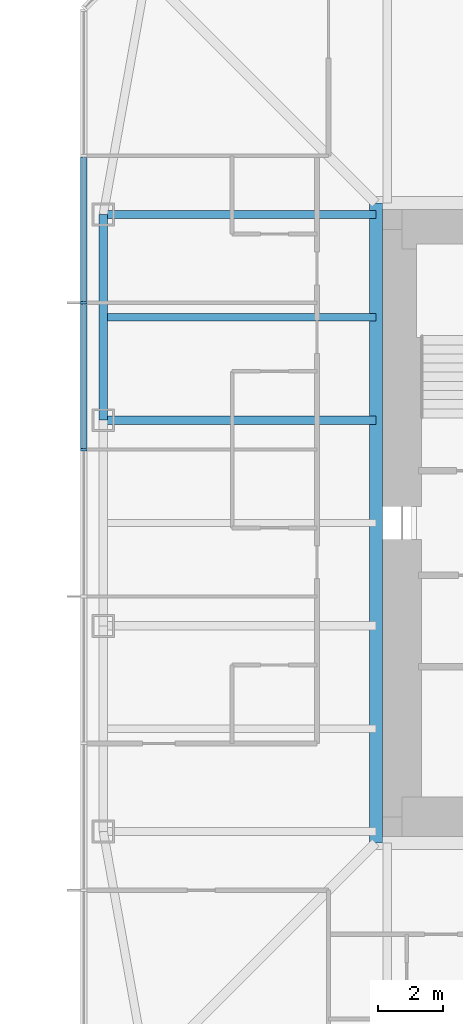
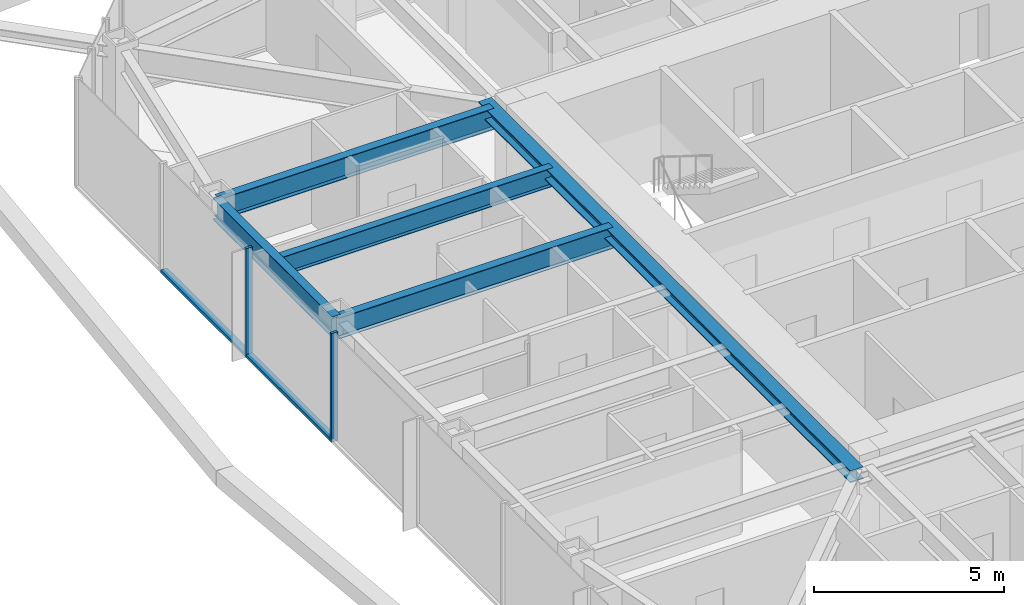
# One storey, part 3 of 13: 5 beams, 4 members, 1 element without a shape of its own.
"""IFC4 building model written with IfcOpenShell, lengths in metres."""

from ifc_helpers import new_model, si_unit, direction, frame, origin, origin_2d, place, context, subcontext, project, spatial, rectangle, i_section, extrude, material, material_profile, profile_set, type_object, element, aggregate, save


model = new_model("IFC4")

# Units and contexts
model_context = context("Model", 3, precision=1e-05, world=origin(), true_north=direction((0.0, 1.0)))
body_context = subcontext(model_context, "Body", "Model", "MODEL_VIEW")
ifc_project = project(units=[si_unit("LENGTHUNIT", "METRE"), si_unit("AREAUNIT", "SQUARE_METRE"), si_unit("VOLUMEUNIT", "CUBIC_METRE"), si_unit("PLANEANGLEUNIT", "RADIAN"), si_unit("MASSUNIT", "GRAM", prefix="KILO")], contexts=[model_context])

# Site, building, storey
site_placement = place(None, origin())
site = spatial("IfcSite", under=ifc_project, at=site_placement, CompositionType="ELEMENT")
building_placement = place(site_placement, origin())
building = spatial("IfcBuilding", under=site, at=building_placement, Name="Iwan Alto Co-Living Towers", CompositionType="ELEMENT")
storey_placement = place(building_placement, frame((0.0, 0.0, 160.0)))
storey = spatial("IfcBuildingStorey", under=building, at=storey_placement, Name="L43", CompositionType="ELEMENT", Elevation=160.0)

# Curtain wall, members
ifc_material_1 = material(Name="Bronze aluminium unitised frame", Category="aluminium")
curtain_wall_type = type_object("IfcCurtainWallType", Name="CURTAIN WALL CW-A", PredefinedType="NOTDEFINED", material=ifc_material_1)
curtain_wall_placement = place(storey_placement, origin())
curtain_wall = element("IfcCurtainWall", 1, at=curtain_wall_placement, inside=storey, type_object=curtain_wall_type, Name="T1 curtain wall W L43", PredefinedType="NOTDEFINED")
ifc_material_2 = material(Name="Aluminium 6063-T6 bronze anodised", Category="aluminium")
ifc_material_profile_1 = material_profile(ifc_material_2, rectangle(XDim=0.199951171875, YDim=0.080078125, at=origin_2d()), Name="AL 80X200")
ifc_profile_set_1 = profile_set([ifc_material_profile_1], Name="Aluminium 6063-T6 bronze anodised")
member_type_1 = type_object("IfcMemberType", Name="CW-A MULLION 80X200", PredefinedType="MULLION", material=ifc_profile_set_1)
member_1_placement = place(storey_placement, frame((-18.75, 6.75, 0.0), z_axis=(0.0, 0.0, 1.0), x_axis=(1.0, 0.0, 0.0)))
member_1 = element("IfcMember", 2, at=member_1_placement, type_object=member_type_1, Name="CW-A mullion 3", PredefinedType="MULLION", context=body_context, shape_type="SweptSolid", body=[
    extrude(rectangle(XDim=0.199951171875, YDim=0.080078125, at=origin_2d()), origin(), (0.0, 0.0, 1.0), 3.5),
])
member_2_placement = place(storey_placement, frame((-18.75, 2.25, 0.0), z_axis=(0.0, 0.0, 1.0), x_axis=(1.0, 0.0, 0.0)))
member_2 = element("IfcMember", 3, at=member_2_placement, type_object=member_type_1, Name="CW-A mullion 4", PredefinedType="MULLION", context=body_context, shape_type="SweptSolid", body=[
    extrude(rectangle(XDim=0.199951171875, YDim=0.080078125, at=origin_2d()), origin(), (0.0, 0.0, 1.0), 3.5),
])
ifc_material_3 = material(Name="Aluminium 6063-T6 bronze anodised", Category="aluminium")
ifc_material_profile_2 = material_profile(ifc_material_3, rectangle(XDim=0.199951171875, YDim=0.10009765625, at=origin_2d()), Name="AL 200X100")
ifc_profile_set_2 = profile_set([ifc_material_profile_2], Name="Aluminium 6063-T6 bronze anodised")
member_type_2 = type_object("IfcMemberType", Name="CW-A TRANSOM 200X100", PredefinedType="USERDEFINED", material=ifc_profile_set_2)
member_3_placement = place(storey_placement, frame((-18.75, 11.2099609375, 0.050048828125), z_axis=(0.0, -1.0, 0.0), x_axis=(1.0, 0.0, 0.0)))
member_3 = element("IfcMember", 4, at=member_3_placement, type_object=member_type_2, Name="CW-A transom 2.1", ObjectType="TRANSOM", PredefinedType="USERDEFINED", context=body_context, shape_type="SweptSolid", body=[
    extrude(rectangle(XDim=0.199951171875, YDim=0.10009765625, at=origin_2d()), origin(), (0.0, 0.0, 1.0), 4.419921875),
])
member_4_placement = place(storey_placement, frame((-18.75, 6.7099609375, 0.050048828125), z_axis=(0.0, -1.0, 0.0), x_axis=(1.0, 0.0, 0.0)))
member_4 = element("IfcMember", 5, at=member_4_placement, type_object=member_type_2, Name="CW-A transom 3.1", ObjectType="TRANSOM", PredefinedType="USERDEFINED", context=body_context, shape_type="SweptSolid", body=[
    extrude(rectangle(XDim=0.199951171875, YDim=0.10009765625, at=origin_2d()), origin(), (0.0, 0.0, 1.0), 4.419921875),
])
aggregate(curtain_wall, [member_1, member_2, member_3, member_4])

# Beams
ifc_material_4 = material(Name="Steel ASTM A992 Gr 50", Category="steel")
ifc_material_profile_3 = material_profile(ifc_material_4, i_section(OverallWidth=0.398681640625, OverallDepth=0.385986328125, WebThickness=0.02099609375, FlangeThickness=0.033203125, at=origin_2d()), Name="W14X176")
ifc_profile_set_3 = profile_set([ifc_material_profile_3], Name="Steel ASTM A992 Gr 50")
beam_type_1 = type_object("IfcBeamType", Name="T1 CORE LEDGER BEAM W14X176", PredefinedType="BEAM", material=ifc_profile_set_3)
beam_1_placement = place(storey_placement, frame((-9.79931640625, 9.79931640625, 3.076904296875), z_axis=(0.0, -1.0, 0.0), x_axis=(1.0, 0.0, 0.0)))
element("IfcBeam", 6, at=beam_1_placement, inside=storey, type_object=beam_type_1, Name="T1 core ledger beam W L44", PredefinedType="BEAM", context=body_context, shape_type="SweptSolid", body=[
    extrude(i_section(OverallWidth=0.398681640625, OverallDepth=0.385986328125, WebThickness=0.02099609375, FlangeThickness=0.033203125, at=origin_2d()), origin(), (0.0, 0.0, 1.0), 19.5986328125),
])
ifc_material_5 = material(Name="Steel ASTM A992 Gr 50", Category="steel")
ifc_material_profile_4 = material_profile(ifc_material_5, i_section(OverallWidth=0.25390625, OverallDepth=0.683349609375, WebThickness=0.012451171875, FlangeThickness=0.018798828125, at=origin_2d()), Name="W27X94")
ifc_profile_set_4 = profile_set([ifc_material_profile_4], Name="Steel ASTM A992 Gr 50")
beam_type_2 = type_object("IfcBeamType", Name="T1 EDGE BEAM W27X94", PredefinedType="BEAM", material=ifc_profile_set_4)
beam_2_placement = place(storey_placement, frame((-18.14990234375, 9.449951171875, 2.928466796875), z_axis=(0.0, -1.0, 0.0), x_axis=(1.0, 0.0, 0.0)))
element("IfcBeam", 7, at=beam_2_placement, inside=storey, type_object=beam_type_2, Name="T1 edge beam W1 L44", PredefinedType="BEAM", context=body_context, shape_type="SweptSolid", body=[
    extrude(i_section(OverallWidth=0.25390625, OverallDepth=0.683349609375, WebThickness=0.012451171875, FlangeThickness=0.018798828125, at=origin_2d()), origin(), (0.0, 0.0, 1.0), 6.300048828125),
])
ifc_material_6 = material(Name="Steel ASTM A992 Gr 50", Category="steel")
ifc_material_profile_5 = material_profile(ifc_material_6, i_section(OverallWidth=0.25390625, OverallDepth=0.683349609375, WebThickness=0.012451171875, FlangeThickness=0.018798828125, at=origin_2d()), Name="W27X94")
ifc_profile_set_5 = profile_set([ifc_material_profile_5], Name="Steel ASTM A992 Gr 50")
beam_type_3 = type_object("IfcBeamType", Name="T1 RADIAL BEAM W27X94", PredefinedType="BEAM", material=ifc_profile_set_5)
for number, where, z_axis, x_axis, name in (
    (8, (-18.14990234375, 9.449951171875, 2.928466796875), (1.0, 0.0, 0.0), (0.0, 1.0, 0.0), "T1 radial beam W1 L44"),
    (9, (-18.14990234375, 3.14990234375, 2.928466796875), (1.0, 0.0, 0.0), (0.0, 1.0, 0.0), "T1 radial beam W2 L44"),
):
    element("IfcBeam", number, at=place(storey_placement, frame(where, z_axis=z_axis, x_axis=x_axis)), inside=storey, type_object=beam_type_3, Name=name, PredefinedType="BEAM", context=body_context, shape_type="SweptSolid", body=[
        extrude(i_section(OverallWidth=0.25390625, OverallDepth=0.683349609375, WebThickness=0.012451171875, FlangeThickness=0.018798828125, at=origin_2d()), origin(), (0.0, 0.0, 1.0), 8.3505859375),
    ])
ifc_material_7 = material(Name="Steel ASTM A992 Gr 50", Category="steel")
ifc_material_profile_6 = material_profile(ifc_material_7, i_section(OverallWidth=0.228271484375, OverallDepth=0.607177734375, WebThickness=0.01123046875, FlangeThickness=0.017333984375, at=origin_2d()), Name="W24X76")
ifc_profile_set_6 = profile_set([ifc_material_profile_6], Name="Steel ASTM A992 Gr 50")
beam_type_4 = type_object("IfcBeamType", Name="T1 SECONDARY BEAM W24X76", PredefinedType="JOIST", material=ifc_profile_set_6)
beam_3_placement = place(storey_placement, frame((-18.14990234375, 6.300048828125, 2.966552734375), z_axis=(1.0, 0.0, 0.0), x_axis=(0.0, 1.0, 0.0)))
element("IfcBeam", 10, at=beam_3_placement, inside=storey, type_object=beam_type_4, Name="T1 secondary beam W1 L44", PredefinedType="JOIST", context=body_context, shape_type="SweptSolid", body=[
    extrude(i_section(OverallWidth=0.228271484375, OverallDepth=0.607177734375, WebThickness=0.01123046875, FlangeThickness=0.017333984375, at=origin_2d()), origin(), (0.0, 0.0, 1.0), 8.3505859375),
])

save(model, "model.ifc")
